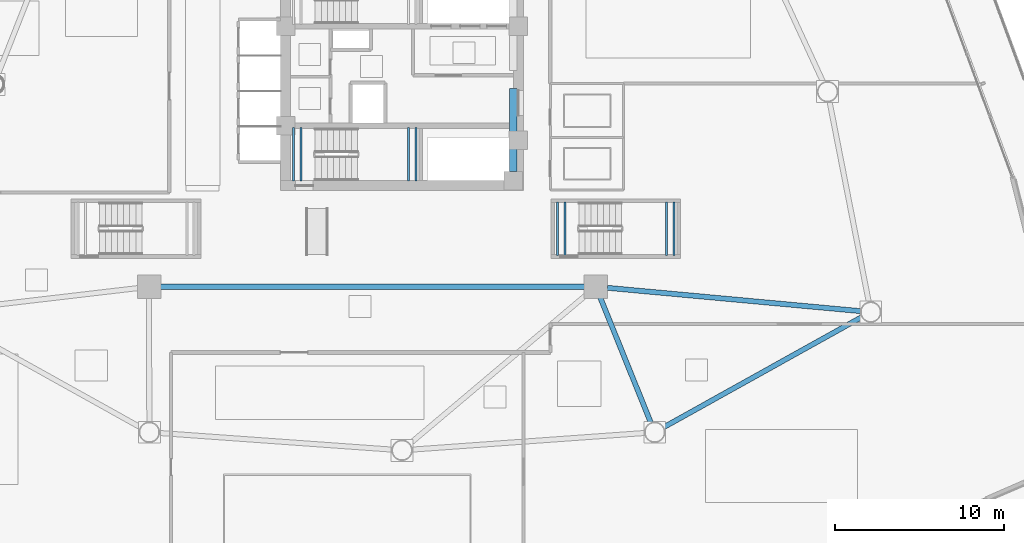
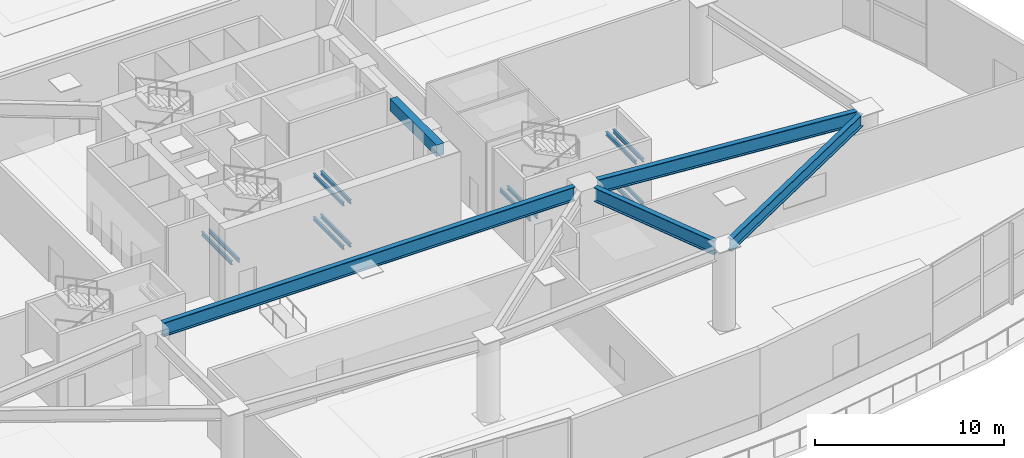
# One storey, part 4 of 26: 17 beams.
"""IFC4 building model written with IfcOpenShell, lengths in metres."""

import ifcopenshell
import ifcopenshell.guid

model = None  # the IFC model being written
_history = None  # IfcOwnerHistory: only IFC2X3 demands one
_inside = {}  # id of a spatial element -> (the spatial element, [elements in it])
_under = {}  # id of a project, library or spatial element -> (it, [spatial elements below it])
_declared = {}  # id of a project -> (the project, [libraries it declares])
_typed = {}  # id of a type object -> (the type object, [elements of that type])
_made_of = {}  # id of a material, layer set ... -> (it, [elements and type objects made of it])


def new_model(schema):
    """Start an empty IFC model of exactly this schema.

    Asked for "IFC4X3", IfcOpenShell would pick the latest addendum, in which some entities
    have other attributes; the version numbers below select the first issue.
    IFC2X3 requires an IfcOwnerHistory on every rooted entity: one is made here for all.
    """
    global model, _history
    if schema == "IFC4X3":
        model = ifcopenshell.file(schema_version=(4, 3, 0, 0))
    else:
        model = ifcopenshell.file(schema=schema)
    _inside.clear()
    _under.clear()
    _declared.clear()
    _typed.clear()
    _made_of.clear()
    _history = None
    if model.schema == "IFC2X3":
        org = make("IfcOrganization", Name="unknown")
        user = make(
            "IfcPersonAndOrganization",
            ThePerson=make("IfcPerson", FamilyName="unknown"),
            TheOrganization=org,
        )
        app = make(
            "IfcApplication",
            ApplicationDeveloper=org,
            Version="unknown",
            ApplicationFullName="unknown",
            ApplicationIdentifier="unknown",
        )
        _history = make(
            "IfcOwnerHistory",
            OwningUser=user,
            OwningApplication=app,
            ChangeAction="ADDED",
            CreationDate=0,
        )
    return model


def make(cls, **values):
    """One entity of the class cls with the attributes given. An attribute that is None is left unset."""
    return model.create_entity(
        cls, **{name: value for name, value in values.items() if value is not None}
    )


def rooted(cls, **values):
    """An entity with a GlobalId (a new one), such as an element, a storey or a relation."""
    return make(cls, GlobalId=ifcopenshell.guid.new(), OwnerHistory=_history, **values)


def si_unit(unit_type, name, prefix=None):
    """IfcSIUnit, for example si_unit("LENGTHUNIT", "METRE", prefix="MILLI")."""
    return make("IfcSIUnit", UnitType=unit_type, Prefix=prefix, Name=name)


def assignment(units):
    """IfcUnitAssignment: the units of a project."""
    return None if units is None else make("IfcUnitAssignment", Units=units)


def point(xyz):
    """IfcCartesianPoint."""
    return None if xyz is None else make("IfcCartesianPoint", Coordinates=xyz)


def direction(xyz):
    """IfcDirection."""
    return None if xyz is None else make("IfcDirection", DirectionRatios=xyz)


def frame(location, z_axis=None, x_axis=None):
    """IfcAxis2Placement3D, a coordinate frame: its origin and axes. An axis left out is left unset."""
    return make(
        "IfcAxis2Placement3D",
        Location=point(location),
        Axis=direction(z_axis),
        RefDirection=direction(x_axis),
    )


def frame_2d(location, x_axis=None):
    """IfcAxis2Placement2D, a coordinate frame in the plane: its origin and x axis."""
    return make(
        "IfcAxis2Placement2D", Location=point(location), RefDirection=direction(x_axis)
    )


def origin():
    """The frame at (0, 0, 0) with its axes left unset."""
    return frame((0.0, 0.0, 0.0))


def origin_2d():
    """The frame at (0, 0) in the plane with its x axis left unset."""
    return frame_2d((0.0, 0.0))


def place(relative_to, where):
    """IfcLocalPlacement: puts the frame where relative to a parent placement (None: the world)."""
    return make(
        "IfcLocalPlacement", PlacementRelTo=relative_to, RelativePlacement=where
    )


def context(
    kind, dimensions, precision=None, world=None, true_north=None, identifier=None
):
    """IfcGeometricRepresentationContext, for example the 3D "Model" context."""
    return make(
        "IfcGeometricRepresentationContext",
        ContextIdentifier=identifier,
        ContextType=kind,
        CoordinateSpaceDimension=dimensions,
        Precision=precision,
        WorldCoordinateSystem=world,
        TrueNorth=true_north,
    )


def subcontext(parent, identifier, kind, view, scale=None):
    """IfcGeometricRepresentationSubContext, for example "Body" below "Model"."""
    return make(
        "IfcGeometricRepresentationSubContext",
        ContextIdentifier=identifier,
        ContextType=kind,
        ParentContext=parent,
        TargetScale=scale,
        TargetView=view,
    )


def project(units=None, contexts=None):
    """IfcProject with its units and contexts."""
    return rooted(
        "IfcProject",
        Name="project",
        RepresentationContexts=contexts,
        UnitsInContext=assignment(units),
    )


def spatial(cls, under=None, at=None, **own):
    """A site, building, storey or space (cls), placed at a placement, below another one or the project."""
    s = rooted(cls, ObjectPlacement=at, **own)
    if under is not None:
        _under.setdefault(under.id(), (under, []))[1].append(s)
    return s


def profile(cls, at=None, kind="AREA", **sizes):
    """A parametric profile (cls). Its sizes go by their IFC names, for example OverallWidth=200.0."""
    return make(cls, ProfileType=kind, Position=at, **sizes)


def rectangle(**sizes):
    """IfcRectangleProfileDef."""
    return profile("IfcRectangleProfileDef", **sizes)


def i_section(**sizes):
    """IfcIShapeProfileDef."""
    return profile("IfcIShapeProfileDef", **sizes)


def extrude(swept, where, along, depth):
    """IfcExtrudedAreaSolid: the profile swept, set in the frame where, extruded along a direction by depth."""
    return make(
        "IfcExtrudedAreaSolid",
        SweptArea=swept,
        Position=where,
        ExtrudedDirection=direction(along),
        Depth=depth,
    )


def shape(context_of_items, identifier, shape_type, items):
    """IfcShapeRepresentation: the items that make up one representation, for example the "Body"."""
    return make(
        "IfcShapeRepresentation",
        ContextOfItems=context_of_items,
        RepresentationIdentifier=identifier,
        RepresentationType=shape_type,
        Items=items,
    )


def material(Name=None, Category=None):
    """IfcMaterial."""
    return make("IfcMaterial", Name=Name, Category=Category)


def material_profile(
    of_material, cross_section, Name=None, Category=None, Priority=None
):
    """IfcMaterialProfile: a cross section and its material."""
    return make(
        "IfcMaterialProfile",
        Name=Name,
        Material=of_material,
        Profile=cross_section,
        Priority=Priority,
        Category=Category,
    )


def profile_set(profiles, Name=None, composite=None):
    """IfcMaterialProfileSet."""
    return make(
        "IfcMaterialProfileSet",
        Name=Name,
        MaterialProfiles=profiles,
        CompositeProfile=composite,
    )


def made_of(thing, what):
    """Note that an element or type object is made of a material, layer set ...; save() writes the relation."""
    if what is not None:
        _made_of.setdefault(what.id(), (what, []))[1].append(thing)
    return thing


def type_object(cls, material=None, **own):
    """A type object (cls), such as IfcWallType, which elements share."""
    return made_of(rooted(cls, **own), material)


def element(
    cls,
    number,
    at=None,
    inside=None,
    cuts=None,
    type_object=None,
    material=None,
    context=None,
    identifier="Body",
    shape_type=None,
    held_by="IfcProductDefinitionShape",
    body=None,
    shapes=None,
    **own,
):
    """One element of the class cls, such as IfcWall. Its Tag is "e" and its number.

    at: its placement. inside: the storey or other place that contains it. cuts: it is an
    opening in that element (IfcRelVoidsElement). A single representation is given by context,
    identifier, shape_type and body (its items); several are given by shapes. held_by: the class
    of the entity that holds the representations. save() writes the other relations.
    """
    e = rooted(cls, Tag="e%d" % number, ObjectPlacement=at, **own)
    if body is not None:
        shapes = [shape(context, identifier, shape_type, body)]
    if shapes is not None:
        e.Representation = make(held_by, Representations=shapes)
    if inside is not None:
        _inside.setdefault(inside.id(), (inside, []))[1].append(e)
    if cuts is not None:
        rooted(
            "IfcRelVoidsElement", RelatingBuildingElement=cuts, RelatedOpeningElement=e
        )
    if type_object is not None:
        _typed.setdefault(type_object.id(), (type_object, []))[1].append(e)
    return made_of(e, material)


def aggregate(whole, parts):
    """IfcRelAggregates: a whole, such as a stair, and the parts it consists of."""
    return rooted("IfcRelAggregates", RelatingObject=whole, RelatedObjects=parts)


def save(model, path):
    """Write the relations noted so far, then the file.

    IfcRelAggregates (storeys below a building ...), IfcRelContainedInSpatialStructure (elements
    in a storey), IfcRelDefinesByType, IfcRelAssociatesMaterial and IfcRelDeclares: one each for
    every whole, place, type object, material and project.
    """
    for whole, parts in _under.values():
        aggregate(whole, parts)
    for where, things in _inside.values():
        rooted(
            "IfcRelContainedInSpatialStructure",
            RelatedElements=things,
            RelatingStructure=where,
        )
    for kind, things in _typed.values():
        rooted("IfcRelDefinesByType", RelatedObjects=things, RelatingType=kind)
    for what, things in _made_of.values():
        rooted("IfcRelAssociatesMaterial", RelatedObjects=things, RelatingMaterial=what)
    for by, libraries in _declared.values():
        rooted("IfcRelDeclares", RelatingContext=by, RelatedDefinitions=libraries)
    model.write(path)


model = new_model("IFC4")

# Units and contexts
model_context = context("Model", 3, precision=1e-05, world=origin(), true_north=direction((0.0, 1.0)))
body_context = subcontext(model_context, "Body", "Model", "MODEL_VIEW")
ifc_project = project(units=[si_unit("LENGTHUNIT", "METRE"), si_unit("AREAUNIT", "SQUARE_METRE"), si_unit("VOLUMEUNIT", "CUBIC_METRE"), si_unit("PLANEANGLEUNIT", "RADIAN"), si_unit("MASSUNIT", "GRAM", prefix="KILO")], contexts=[model_context])

# Site, building, storey
site_placement = place(None, origin())
site = spatial("IfcSite", under=ifc_project, at=site_placement, CompositionType="ELEMENT")
building_placement = place(site_placement, origin())
building = spatial("IfcBuilding", under=site, at=building_placement, Name="Tavelor Broadcast Tower", CompositionType="ELEMENT")
storey_placement = place(building_placement, frame((0.0, 0.0, 5.800048828125)))
storey = spatial("IfcBuildingStorey", under=building, at=storey_placement, Name="L01", CompositionType="ELEMENT", Elevation=5.800048828125)

# Beams
ifc_material_1 = material(Name="Concrete C40/50", Category="concrete")
ifc_material_profile_1 = material_profile(ifc_material_1, rectangle(XDim=0.449951171875, YDim=0.75, at=origin_2d()), Name="RC 450x750")
ifc_profile_set_1 = profile_set([ifc_material_profile_1], Name="Concrete C40/50")
beam_type_1 = type_object("IfcBeamType", Name="Basement Core Trim Beam 450x750", PredefinedType="BEAM", material=ifc_profile_set_1)
beam_1_placement = place(storey_placement, frame((56.60009765625, 39.327880859375, 4.875), z_axis=(0.0, 1.0, 0.0), x_axis=(-1.0, 0.0, 0.0)))
element("IfcBeam", 1, at=beam_1_placement, inside=storey, type_object=beam_type_1, Name="L01 Core East-S Tie Girder", PredefinedType="BEAM", context=body_context, shape_type="SweptSolid", body=[
    extrude(rectangle(XDim=0.449951171875, YDim=0.75, at=origin_2d()), origin(), (0.0, 0.0, 1.0), 4.944091796875),
])
ifc_material_2 = material(Name="Steel S355", Category="steel")
ifc_material_profile_2 = material_profile(ifc_material_2, i_section(OverallWidth=0.300048828125, OverallDepth=0.800048828125, WebThickness=0.017578125, FlangeThickness=0.032958984375, at=origin_2d()), Name="HEB 800")
ifc_profile_set_2 = profile_set([ifc_material_profile_2], Name="Steel S355")
beam_type_2 = type_object("IfcBeamType", Name="Podium Spandrel Beam HEB800", PredefinedType="SPANDREL", material=ifc_profile_set_2)
beam_2_placement = place(storey_placement, frame((65.49462890625, 24.153076171875, 4.849853515625), z_axis=(0.873837244076, 0.486218542289, 0.0), x_axis=(-0.486218542289, 0.873837244076, 0.0)))
element("IfcBeam", 2, at=beam_2_placement, inside=storey, type_object=beam_type_2, Name="L01 Podium Spandrel Girder 8", PredefinedType="SPANDREL", context=body_context, shape_type="SweptSolid", body=[
    extrude(i_section(OverallWidth=0.300048828125, OverallDepth=0.800048828125, WebThickness=0.017578125, FlangeThickness=0.032958984375, at=origin_2d()), origin(), (0.0, 0.0, 1.0), 13.501953125),
])
ifc_material_profile_3 = material_profile(ifc_material_2, i_section(OverallWidth=0.1201171875, OverallDepth=0.239990234375, WebThickness=0.006103515625, FlangeThickness=0.009765625, at=origin_2d()), Name="IPE 240")
ifc_profile_set_3 = profile_set([ifc_material_profile_3], Name="Steel S355")
beam_type_3 = type_object("IfcBeamType", Name="Stairwell Landing Support Trimmer Beam IPE240", PredefinedType="BEAM", material=ifc_profile_set_3)
for number, where, z_axis, x_axis, name in (
    (3, (50.385009765625, 38.760009765625, 1.0849609375), (0.0, 1.0, 0.0), (-1.0, 0.0, 0.0), "L01 Stair Landing Support Beam 225"),
    (4, (50.824951171875, 38.760009765625, 1.0849609375), (0.0, 1.0, 0.0), (-1.0, 0.0, 0.0), "L01 Stair Landing Support Beam 226"),
    (5, (43.574951171875, 38.760009765625, 2.48486328125), (0.0, 1.0, 0.0), (-1.0, 0.0, 0.0), "L01 Stair Landing Support Beam 227"),
    (6, (44.014892578125, 38.760009765625, 2.48486328125), (0.0, 1.0, 0.0), (-1.0, 0.0, 0.0), "L01 Stair Landing Support Beam 228"),
    (7, (50.385009765625, 38.760009765625, 3.885009765625), (0.0, 1.0, 0.0), (-1.0, 0.0, 0.0), "L01 Stair Landing Support Beam 229"),
    (8, (50.824951171875, 38.760009765625, 3.885009765625), (0.0, 1.0, 0.0), (-1.0, 0.0, 0.0), "L01 Stair Landing Support Beam 230"),
    (9, (65.68505859375, 34.360107421875, 1.0849609375), (0.0, 1.0, 0.0), (-1.0, 0.0, 0.0), "L01 Stair Landing Support Beam 449"),
    (10, (66.125, 34.360107421875, 1.0849609375), (0.0, 1.0, 0.0), (-1.0, 0.0, 0.0), "L01 Stair Landing Support Beam 450"),
    (11, (59.22509765625, 34.360107421875, 2.48486328125), (0.0, 1.0, 0.0), (-1.0, 0.0, 0.0), "L01 Stair Landing Support Beam 451"),
    (12, (59.6650390625, 34.360107421875, 2.48486328125), (0.0, 1.0, 0.0), (-1.0, 0.0, 0.0), "L01 Stair Landing Support Beam 452"),
    (13, (65.68505859375, 34.360107421875, 3.885009765625), (0.0, 1.0, 0.0), (-1.0, 0.0, 0.0), "L01 Stair Landing Support Beam 453"),
    (14, (66.125, 34.360107421875, 3.885009765625), (0.0, 1.0, 0.0), (-1.0, 0.0, 0.0), "L01 Stair Landing Support Beam 454"),
):
    element("IfcBeam", number, at=place(storey_placement, frame(where, z_axis=z_axis, x_axis=x_axis)), inside=storey, type_object=beam_type_3, Name=name, PredefinedType="BEAM", context=body_context, shape_type="SweptSolid", body=[
        extrude(i_section(OverallWidth=0.1201171875, OverallDepth=0.239990234375, WebThickness=0.006103515625, FlangeThickness=0.009765625, at=origin_2d()), origin(), (0.0, 0.0, 1.0), 3.179931640625),
    ])
ifc_material_3 = material(Name="Steel S460", Category="steel")
ifc_material_profile_4 = material_profile(ifc_material_3, i_section(OverallWidth=0.300048828125, OverallDepth=0.89990234375, WebThickness=0.0185546875, FlangeThickness=0.034912109375, at=origin_2d()), Name="HEB 900")
ifc_profile_set_4 = profile_set([ifc_material_profile_4], Name="Steel S460")
beam_type_4 = type_object("IfcBeamType", Name="Studio Long-Span Girder HEB900", PredefinedType="BEAM", material=ifc_profile_set_4)
beam_3_placement = place(storey_placement, frame((35.679931640625, 32.5, 4.800048828125), z_axis=(1.0, 0.0, 0.0), x_axis=(0.0, 1.0, 0.0)))
element("IfcBeam", 15, at=beam_3_placement, inside=storey, type_object=beam_type_4, Name="L01 Studio Ring Girder 1", PredefinedType="BEAM", context=body_context, shape_type="SweptSolid", body=[
    extrude(i_section(OverallWidth=0.300048828125, OverallDepth=0.89990234375, WebThickness=0.0185546875, FlangeThickness=0.034912109375, at=origin_2d()), origin(), (0.0, 0.0, 1.0), 25.14013671875),
])
beam_4_placement = place(storey_placement, frame((61.7548828125, 31.86962890625, 4.800048828125), z_axis=(0.374735912078, -0.927131595945, 0.0), x_axis=(0.927131595945, 0.374735912078, 0.0)))
element("IfcBeam", 16, at=beam_4_placement, inside=storey, type_object=beam_type_4, Name="L01 Clear-Span Studio Girder 8", PredefinedType="BEAM", context=body_context, shape_type="SweptSolid", body=[
    extrude(i_section(OverallWidth=0.300048828125, OverallDepth=0.89990234375, WebThickness=0.0185546875, FlangeThickness=0.034912109375, at=origin_2d()), origin(), (0.0, 0.0, 1.0), 8.04736328125),
])
beam_5_placement = place(storey_placement, frame((62.177001953125, 32.437744140625, 4.800048828125), z_axis=(0.995791126224, -0.09165169357, 0.0), x_axis=(0.09165169357, 0.995791126224, 0.0)))
element("IfcBeam", 17, at=beam_5_placement, inside=storey, type_object=beam_type_4, Name="L01 Clear-Span Studio Girder 9", PredefinedType="BEAM", context=body_context, shape_type="SweptSolid", body=[
    extrude(i_section(OverallWidth=0.300048828125, OverallDepth=0.89990234375, WebThickness=0.0185546875, FlangeThickness=0.034912109375, at=origin_2d()), origin(), (0.0, 0.0, 1.0), 15.10888671875),
])

save(model, "model.ifc")
